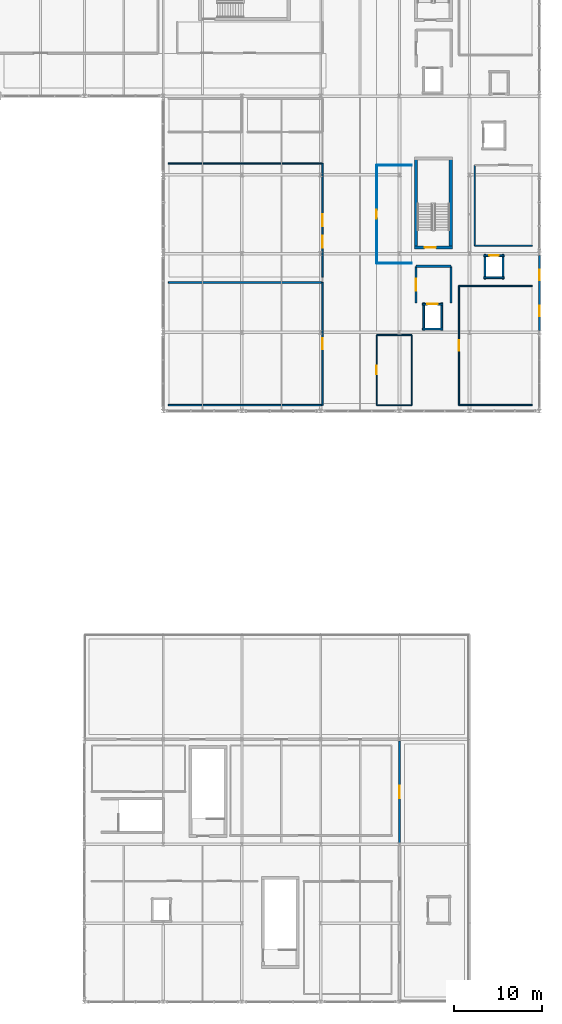
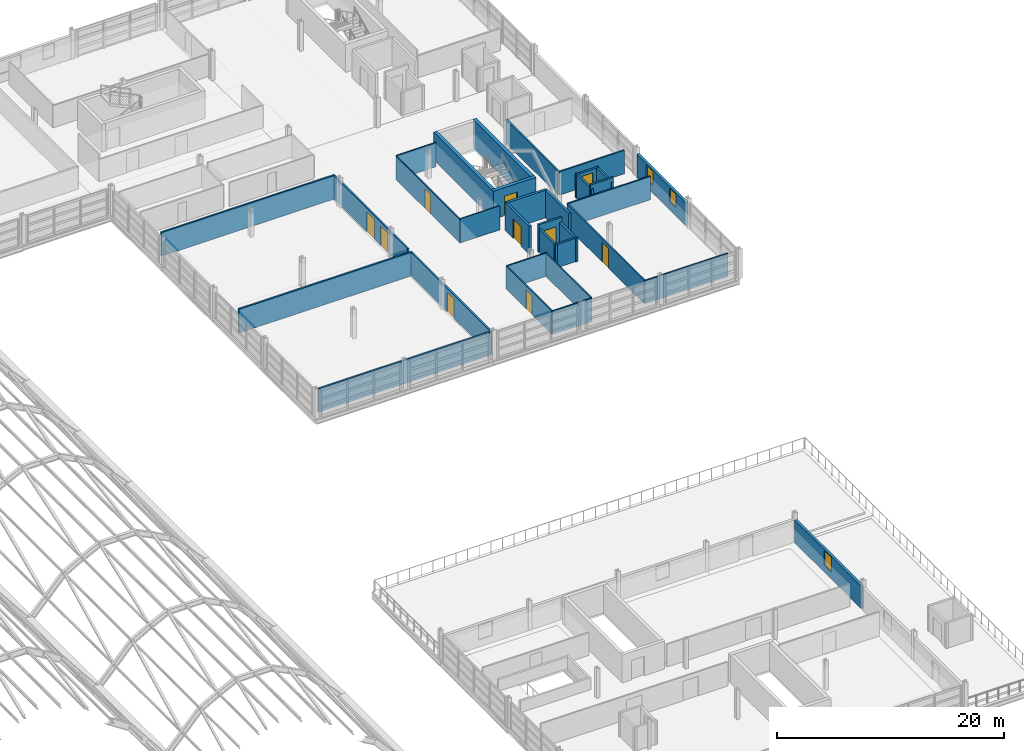
# One storey, part 78 of 86: 33 walls, 10 doors, 3 windows, 13 openings.
"""IFC4 building model written with IfcOpenShell, lengths in metres."""

from ifc_helpers import new_model, si_unit, direction, frame, frame_2d, origin, place, context, subcontext, project, spatial, rectangle, extrude, material, layer, layer_set, type_object, element, fill, save


model = new_model("IFC4")

# Units and contexts
model_context = context("Model", 3, precision=1e-05, world=origin(), true_north=direction((0.0, 1.0)))
body_context = subcontext(model_context, "Body", "Model", "MODEL_VIEW")
ifc_project = project(units=[si_unit("LENGTHUNIT", "METRE"), si_unit("AREAUNIT", "SQUARE_METRE"), si_unit("VOLUMEUNIT", "CUBIC_METRE"), si_unit("PLANEANGLEUNIT", "RADIAN"), si_unit("MASSUNIT", "GRAM", prefix="KILO")], contexts=[model_context])

# Site, building, storey
site_placement = place(None, origin())
site = spatial("IfcSite", under=ifc_project, at=site_placement, CompositionType="ELEMENT")
building_placement = place(site_placement, origin())
building = spatial("IfcBuilding", under=site, at=building_placement, Name="Chuanluo Vaults Station", CompositionType="ELEMENT")
storey_placement = place(building_placement, frame((0.0, 0.0, 14.39990234375)))
storey = spatial("IfcBuildingStorey", under=building, at=storey_placement, Name="L03", CompositionType="ELEMENT", Elevation=14.39990234375)

# Walls
ifc_material_1 = material(Name="Concrete C50", Category="concrete")
ifc_layer_1 = layer(ifc_material_1, 0.35009765625)
ifc_layer_set_1 = layer_set([ifc_layer_1], Name="Concrete C50")
wall_type_1 = type_object("IfcWallType", Name="WL-COR-350", PredefinedType="SHEAR", material=ifc_layer_set_1)
for number, where, z_axis, x_axis, name in (
    (1, (177.862548828125, 86.02490234375, 0.0), (0.0, 0.0, 1.0), (0.0, 1.0, 0.0), "Core K1 left shear wall"),
    (2, (173.892578125, 96.5224609375, 0.0), (0.0, 0.0, 1.0), (0.0, -1.0, 0.0), "Core K1 right shear wall"),
):
    element("IfcWall", number, at=place(storey_placement, frame(where, z_axis=z_axis, x_axis=x_axis)), inside=storey, type_object=wall_type_1, Name=name, PredefinedType="SHEAR", context=body_context, shape_type="SweptSolid", body=[
        extrude(rectangle(XDim=10.49755859375, YDim=0.35009765625, at=frame_2d((5.248779296875, 0.0))), origin(), (0.0, 0.0, 1.0), 3.0),
    ])

# Wall, opening, door
wall_1_placement = place(storey_placement, frame((173.717529296875, 86.199951171875, 0.0), z_axis=(0.0, 0.0, 1.0), x_axis=(1.0, 0.0, 0.0)))
wall_1 = element("IfcWall", 3, at=wall_1_placement, inside=storey, type_object=wall_type_1, Name="Core K1 near shear wall", PredefinedType="SHEAR", context=body_context, shape_type="SweptSolid", body=[
    extrude(rectangle(XDim=4.320068359375, YDim=0.35009765625, at=frame_2d((2.16015625, 0.0))), origin(), (0.0, 0.0, 1.0), 3.0),
])
opening_1_placement = place(wall_1_placement, frame((1.14990234375, 0.0, 0.0)))
opening_1 = element("IfcOpeningElement", 4, at=opening_1_placement, cuts=wall_1, Name="Opening FD-05", PredefinedType="OPENING", context=body_context, shape_type="SweptSolid", body=[
    extrude(rectangle(XDim=1.300048828125, YDim=2.10009765625, at=frame_2d((0.64990234375, 1.050048828125))), frame((0.0, 0.18505, 0.0), z_axis=(0.0, -1.0, 0.0), x_axis=(1.0, 0.0, 0.0)), (0.0, 0.0, 1.0), 0.3701),
])
ifc_material_2 = material(Name="Fire-rated steel leaf", Category="steel")
door_type_1 = type_object("IfcDoorType", Name="DR-FIR-1300x2100", OperationType="NOTDEFINED", PredefinedType="DOOR", material=ifc_material_2)
door_1_placement = place(opening_1_placement, origin())
door_1 = element("IfcDoor", 5, at=door_1_placement, inside=storey, type_object=door_type_1, Name="D-062 Stair ST-01 fire door", OperationType="SINGLE_SWING_LEFT", OverallHeight=2.10009765625, OverallWidth=1.300048828125, PredefinedType="DOOR", context=body_context, shape_type="SweptSolid", body=[
    extrude(rectangle(XDim=1.300048828125, YDim=2.10009765625, at=frame_2d((0.64990234375, 1.050048828125))), frame((0.0, 0.02490234375, 0.0), z_axis=(0.0, -1.0, 0.0), x_axis=(1.0, 0.0, 0.0)), (0.0, 0.0, 1.0), 0.050048828125),
])
fill(opening_1, door_1)

# Wall, opening, window
ifc_material_3 = material(Name="Concrete C40", Category="concrete")
ifc_layer_2 = layer(ifc_material_3, 0.260009765625)
ifc_layer_set_2 = layer_set([ifc_layer_2], Name="Concrete C40")
wall_type_2 = type_object("IfcWallType", Name="WL-EXT-260", PredefinedType="SOLIDWALL", material=ifc_layer_set_2)
wall_2_placement = place(storey_placement, frame((172.0, 29.824951171875, 0.0), z_axis=(0.0, 0.0, 1.0), x_axis=(0.0, -1.0, 0.0)))
wall_2 = element("IfcWall", 6, at=wall_2_placement, inside=storey, type_object=wall_type_2, Name="L03 east terrace wall 1", PredefinedType="SOLIDWALL", context=body_context, shape_type="SweptSolid", body=[
    extrude(rectangle(XDim=11.64990234375, YDim=0.260009765625, at=frame_2d((5.824951171875, 0.0))), origin(), (0.0, 0.0, 1.0), 2.420166015625),
])
opening_2_placement = place(wall_2_placement, frame((5.125, 0.0, 0.75)))
opening_2 = element("IfcOpeningElement", 7, at=opening_2_placement, cuts=wall_2, Name="Opening W-41", PredefinedType="OPENING", context=body_context, shape_type="SweptSolid", body=[
    extrude(rectangle(XDim=1.39990234375, YDim=1.550048828125, at=frame_2d((0.699951171875, 0.77490234375))), frame((0.0, 0.13988, 0.0), z_axis=(0.0, -1.0, 0.0), x_axis=(1.0, 0.0, 0.0)), (0.0, 0.0, 1.0), 0.28001),
])
ifc_material_4 = material(Name="Double-silver Low-E laminated glass", Category="glass")
window_type_1 = type_object("IfcWindowType", Name="WN-OPS-1400x1550", PartitioningType="SINGLE_PANEL", PredefinedType="WINDOW", material=ifc_material_4)
window_1_placement = place(opening_2_placement, origin())
window_1 = element("IfcWindow", 8, at=window_1_placement, inside=storey, type_object=window_type_1, Name="W-120 L03 east terrace wall 1 window", OverallHeight=1.550048828125, OverallWidth=1.39990234375, PartitioningType="SINGLE_PANEL", PredefinedType="WINDOW", context=body_context, shape_type="SweptSolid", body=[
    extrude(rectangle(XDim=1.39990234375, YDim=1.550048828125, at=frame_2d((0.699951171875, 0.77490234375))), frame((0.0, 0.030029296875, 0.0), z_axis=(0.0, -1.0, 0.0), x_axis=(1.0, 0.0, 0.0)), (0.0, 0.0, 1.0), 0.06005859375),
])
fill(opening_2, window_1)

# Wall, openings, windows
ifc_material_5 = material(Name="Concrete C40", Category="concrete")
ifc_layer_3 = layer(ifc_material_5, 0.280029296875)
ifc_layer_set_3 = layer_set([ifc_layer_3], Name="Concrete C40")
wall_type_3 = type_object("IfcWallType", Name="WL-EXT-280", PredefinedType="SOLIDWALL", material=ifc_layer_set_3)
wall_3_placement = place(storey_placement, frame((188.0, 85.300048828125, 0.0), z_axis=(0.0, 0.0, 1.0), x_axis=(0.0, -1.0, 0.0)))
wall_3 = element("IfcWall", 9, at=wall_3_placement, inside=storey, type_object=wall_type_3, Name="L03 exterior punched wall 20", PredefinedType="SOLIDWALL", context=body_context, shape_type="SweptSolid", body=[
    extrude(rectangle(XDim=8.60009765625, YDim=0.280029296875, at=frame_2d((4.300048828125, 0.0))), origin(), (0.0, 0.0, 1.0), 2.485107421875),
])
opening_3_placement = place(wall_3_placement, frame((1.6650390625, 0.0, 0.89990234375)))
opening_3 = element("IfcOpeningElement", 10, at=opening_3_placement, cuts=wall_3, Name="Opening W-49", PredefinedType="OPENING", context=body_context, shape_type="SweptSolid", body=[
    extrude(rectangle(XDim=1.14990234375, YDim=1.449951171875, at=frame_2d((0.574951171875, 0.72509765625))), frame((0.0, 0.15014, 0.0), z_axis=(0.0, -1.0, 0.0), x_axis=(1.0, 0.0, 0.0)), (0.0, 0.0, 1.0), 0.30003),
])
opening_4_placement = place(wall_3_placement, frame((5.784912109375, 0.0, 0.89990234375)))
opening_4 = element("IfcOpeningElement", 11, at=opening_4_placement, cuts=wall_3, Name="Opening W-49", PredefinedType="OPENING", context=body_context, shape_type="SweptSolid", body=[
    extrude(rectangle(XDim=1.14990234375, YDim=1.449951171875, at=frame_2d((0.574951171875, 0.72509765625))), frame((0.0, 0.15014, 0.0), z_axis=(0.0, -1.0, 0.0), x_axis=(1.0, 0.0, 0.0)), (0.0, 0.0, 1.0), 0.30003),
])
ifc_material_6 = material(Name="Double-silver Low-E laminated glass", Category="glass")
window_type_2 = type_object("IfcWindowType", Name="WN-OPS-1150x1450", PartitioningType="SINGLE_PANEL", PredefinedType="WINDOW", material=ifc_material_6)
window_2_placement = place(opening_3_placement, origin())
window_2 = element("IfcWindow", 12, at=window_2_placement, inside=storey, type_object=window_type_2, Name="W-096 L03 facade window", OverallHeight=1.449951171875, OverallWidth=1.14990234375, PartitioningType="SINGLE_PANEL", PredefinedType="WINDOW", context=body_context, shape_type="SweptSolid", body=[
    extrude(rectangle(XDim=1.14990234375, YDim=1.449951171875, at=frame_2d((0.574951171875, 0.72509765625))), frame((0.0, 0.030029296875, 0.0), z_axis=(0.0, -1.0, 0.0), x_axis=(1.0, 0.0, 0.0)), (0.0, 0.0, 1.0), 0.06005859375),
])
fill(opening_3, window_2)
window_3_placement = place(opening_4_placement, origin())
window_3 = element("IfcWindow", 13, at=window_3_placement, inside=storey, type_object=window_type_2, Name="W-097 L03 facade window", OverallHeight=1.449951171875, OverallWidth=1.14990234375, PartitioningType="SINGLE_PANEL", PredefinedType="WINDOW", context=body_context, shape_type="SweptSolid", body=[
    extrude(rectangle(XDim=1.14990234375, YDim=1.449951171875, at=frame_2d((0.574951171875, 0.72509765625))), frame((0.0, 0.030029296875, 0.0), z_axis=(0.0, -1.0, 0.0), x_axis=(1.0, 0.0, 0.0)), (0.0, 0.0, 1.0), 0.06005859375),
])
fill(opening_4, window_3)

# Wall
ifc_material_7 = material(Name="Concrete C40", Category="concrete")
ifc_layer_4 = layer(ifc_material_7, 0.25)
ifc_layer_set_4 = layer_set([ifc_layer_4], Name="Concrete C40")
wall_type_4 = type_object("IfcWallType", Name="WL-FIR-250", PredefinedType="SOLIDWALL", material=ifc_layer_set_4)
wall_4_placement = place(storey_placement, frame((173.89990234375, 84.050048828125, 0.0), z_axis=(0.0, 0.0, 1.0), x_axis=(1.0, 0.0, 0.0)))
element("IfcWall", 14, at=wall_4_placement, inside=storey, type_object=wall_type_4, Name="L03-FFL-K1 Firefighting Lift Lobby FFL-01 L03 N partition", PredefinedType="SOLIDWALL", context=body_context, shape_type="SweptSolid", body=[
    extrude(rectangle(XDim=4.0, YDim=0.25, at=frame_2d((2.0, 0.0))), origin(), (0.0, 0.0, 1.0), 2.97509765625),
])

# Wall, opening, door
wall_5_placement = place(storey_placement, frame((173.89990234375, 79.85009765625, 0.0), z_axis=(0.0, 0.0, 1.0), x_axis=(0.0, 1.0, 0.0)))
wall_5 = element("IfcWall", 15, at=wall_5_placement, inside=storey, type_object=wall_type_4, Name="L03-FFL-K1 Firefighting Lift Lobby FFL-01 L03 W partition", PredefinedType="SOLIDWALL", context=body_context, shape_type="SweptSolid", body=[
    extrude(rectangle(XDim=4.199951171875, YDim=0.25, at=frame_2d((2.10009765625, 0.0))), origin(), (0.0, 0.0, 1.0), 2.97509765625),
])
opening_5_placement = place(wall_5_placement, frame((1.39990234375, 0.0, 0.0)))
opening_5 = element("IfcOpeningElement", 16, at=opening_5_placement, cuts=wall_5, Name="Opening FD-04", PredefinedType="OPENING", context=body_context, shape_type="SweptSolid", body=[
    extrude(rectangle(XDim=1.39990234375, YDim=2.10009765625, at=frame_2d((0.699951171875, 1.050048828125))), frame((0.0, 0.135, 0.0), z_axis=(0.0, -1.0, 0.0), x_axis=(1.0, 0.0, 0.0)), (0.0, 0.0, 1.0), 0.27),
])
ifc_material_8 = material(Name="Fire-rated steel leaf", Category="steel")
door_type_2 = type_object("IfcDoorType", Name="DR-FIR-1400x2100", OperationType="NOTDEFINED", PredefinedType="DOOR", material=ifc_material_8)
door_2_placement = place(opening_5_placement, origin())
door_2 = element("IfcDoor", 17, at=door_2_placement, inside=storey, type_object=door_type_2, Name="D-271 Firefighting Lift Lobby FFL-01 L03 door", OperationType="SINGLE_SWING_RIGHT", OverallHeight=2.10009765625, OverallWidth=1.39990234375, PredefinedType="DOOR", context=body_context, shape_type="SweptSolid", body=[
    extrude(rectangle(XDim=1.39990234375, YDim=2.10009765625, at=frame_2d((0.699951171875, 1.050048828125))), frame((0.0, 0.02490234375, 0.0), z_axis=(0.0, -1.0, 0.0), x_axis=(1.0, 0.0, 0.0)), (0.0, 0.0, 1.0), 0.050048828125),
])
fill(opening_5, door_2)

# Walls
wall_6_placement = place(storey_placement, frame((177.89990234375, 84.050048828125, 0.0), z_axis=(0.0, 0.0, 1.0), x_axis=(0.0, -1.0, 0.0)))
element("IfcWall", 18, at=wall_6_placement, inside=storey, type_object=wall_type_4, Name="L03-FFL-K1 Firefighting Lift Lobby FFL-01 L03 E partition", PredefinedType="SOLIDWALL", context=body_context, shape_type="SweptSolid", body=[
    extrude(rectangle(XDim=4.199951171875, YDim=0.25, at=frame_2d((2.10009765625, 0.0))), origin(), (0.0, 0.0, 1.0), 2.97509765625),
])
ifc_material_9 = material(Name="Masonry blockwork M10", Category="masonry")
ifc_layer_5 = layer(ifc_material_9, 0.110107421875)
ifc_layer_set_5 = layer_set([ifc_layer_5], Name="Masonry blockwork M10")
wall_type_5 = type_object("IfcWallType", Name="WL-PRT-110", PredefinedType="PARTITIONING", material=ifc_layer_set_5)
for number, where, z_axis, x_axis, name in (
    (19, (173.39990234375, 84.39990234375, 0.0), (0.0, 0.0, 1.0), (-1.0, 0.0, 0.0), "L03-14B Operations Records and Print Room S partition"),
    (20, (169.39990234375, 95.60009765625, 0.0), (0.0, 0.0, 1.0), (1.0, 0.0, 0.0), "L03-14B Operations Records and Print Room N partition"),
):
    element("IfcWall", number, at=place(storey_placement, frame(where, z_axis=z_axis, x_axis=x_axis)), inside=storey, type_object=wall_type_5, Name=name, PredefinedType="PARTITIONING", context=body_context, shape_type="SweptSolid", body=[
        extrude(rectangle(XDim=4.0, YDim=0.110107421875, at=frame_2d((2.0, 0.0))), origin(), (0.0, 0.0, 1.0), 2.585205078125),
    ])

# Wall, opening, door
wall_7_placement = place(storey_placement, frame((169.39990234375, 84.39990234375, 0.0), z_axis=(0.0, 0.0, 1.0), x_axis=(0.0, 1.0, 0.0)))
wall_7 = element("IfcWall", 21, at=wall_7_placement, inside=storey, type_object=wall_type_5, Name="L03-14B Operations Records and Print Room W partition", PredefinedType="PARTITIONING", context=body_context, shape_type="SweptSolid", body=[
    extrude(rectangle(XDim=11.2001953125, YDim=0.110107421875, at=frame_2d((5.60009765625, 0.0))), origin(), (0.0, 0.0, 1.0), 2.53515625),
])
opening_6_placement = place(wall_7_placement, frame((5.074951171875, 0.0, 0.0)))
opening_6 = element("IfcOpeningElement", 22, at=opening_6_placement, cuts=wall_7, Name="Opening D-I07", PredefinedType="OPENING", context=body_context, shape_type="SweptSolid", body=[
    extrude(rectangle(XDim=1.050048828125, YDim=2.10009765625, at=frame_2d((0.52490234375, 1.050048828125))), frame((0.0, 0.06518, 0.0), z_axis=(0.0, -1.0, 0.0), x_axis=(1.0, 0.0, 0.0)), (0.0, 0.0, 1.0), 0.13011),
])
ifc_material_10 = material(Name="Anodised aluminium 6063-T6", Category="aluminium")
door_type_3 = type_object("IfcDoorType", Name="DR-INT-1050x2100", OperationType="NOTDEFINED", PredefinedType="DOOR", material=ifc_material_10)
door_3_placement = place(opening_6_placement, origin())
door_3 = element("IfcDoor", 23, at=door_3_placement, inside=storey, type_object=door_type_3, Name="D-232 Operations Records and Print Room door", OperationType="SINGLE_SWING_LEFT", OverallHeight=2.10009765625, OverallWidth=1.050048828125, PredefinedType="DOOR", context=body_context, shape_type="SweptSolid", body=[
    extrude(rectangle(XDim=1.050048828125, YDim=2.10009765625, at=frame_2d((0.52490234375, 1.050048828125))), frame((0.0, 0.02490234375, 0.0), z_axis=(0.0, -1.0, 0.0), x_axis=(1.0, 0.0, 0.0)), (0.0, 0.0, 1.0), 0.050048828125),
])
fill(opening_6, door_3)

# Walls
ifc_material_11 = material(Name="Masonry blockwork M10", Category="masonry")
ifc_layer_6 = layer(ifc_material_11, 0.1201171875)
ifc_layer_set_6 = layer_set([ifc_layer_6], Name="Masonry blockwork M10")
wall_type_6 = type_object("IfcWallType", Name="WL-PRT-120", PredefinedType="PARTITIONING", material=ifc_layer_set_6)
for number, where, z_axis, x_axis, name in (
    (24, (173.39990234375, 68.199951171875, 0.0), (0.0, 0.0, 1.0), (-1.0, 0.0, 0.0), "L03-14 Level 3 Accessible WC S partition"),
    (25, (169.39990234375, 76.199951171875, 0.0), (0.0, 0.0, 1.0), (1.0, 0.0, 0.0), "L03-14 Level 3 Accessible WC N partition"),
):
    element("IfcWall", number, at=place(storey_placement, frame(where, z_axis=z_axis, x_axis=x_axis)), inside=storey, type_object=wall_type_6, Name=name, PredefinedType="PARTITIONING", context=body_context, shape_type="SweptSolid", body=[
        extrude(rectangle(XDim=4.0, YDim=0.1201171875, at=frame_2d((2.0, 0.0))), origin(), (0.0, 0.0, 1.0), 2.505126953125),
    ])

# Wall, opening, door
wall_8_placement = place(storey_placement, frame((169.39990234375, 68.199951171875, 0.0), z_axis=(0.0, 0.0, 1.0), x_axis=(0.0, 1.0, 0.0)))
wall_8 = element("IfcWall", 26, at=wall_8_placement, inside=storey, type_object=wall_type_6, Name="L03-14 Level 3 Accessible WC W partition", PredefinedType="PARTITIONING", context=body_context, shape_type="SweptSolid", body=[
    extrude(rectangle(XDim=8.0, YDim=0.1201171875, at=frame_2d((4.0, 0.0))), origin(), (0.0, 0.0, 1.0), 2.505126953125),
])
opening_7_placement = place(wall_8_placement, frame((3.489990234375, 0.0, 0.0)))
opening_7 = element("IfcOpeningElement", 27, at=opening_7_placement, cuts=wall_8, Name="Opening D-WC2", PredefinedType="OPENING", context=body_context, shape_type="SweptSolid", body=[
    extrude(rectangle(XDim=1.02001953125, YDim=2.050048828125, at=frame_2d((0.510009765625, 1.02490234375))), frame((0.0, 0.07006, 0.0), z_axis=(0.0, -1.0, 0.0), x_axis=(1.0, 0.0, 0.0)), (0.0, 0.0, 1.0), 0.14012),
])
ifc_material_12 = material(Name="Anodised aluminium 6063-T6", Category="aluminium")
door_type_4 = type_object("IfcDoorType", Name="DR-AWC-1020x2050", OperationType="NOTDEFINED", PredefinedType="DOOR", material=ifc_material_12)
door_4_placement = place(opening_7_placement, origin())
door_4 = element("IfcDoor", 28, at=door_4_placement, inside=storey, type_object=door_type_4, Name="D-231 Level 3 Accessible WC door", OperationType="SINGLE_SWING_RIGHT", OverallHeight=2.050048828125, OverallWidth=1.02001953125, PredefinedType="DOOR", context=body_context, shape_type="SweptSolid", body=[
    extrude(rectangle(XDim=1.02001953125, YDim=2.050048828125, at=frame_2d((0.510009765625, 1.02490234375))), frame((0.0, 0.02490234375, 0.0), z_axis=(0.0, -1.0, 0.0), x_axis=(1.0, 0.0, 0.0)), (0.0, 0.0, 1.0), 0.050048828125),
])
fill(opening_7, door_4)

# Walls
wall_9_placement = place(storey_placement, frame((173.39990234375, 76.199951171875, 0.0), z_axis=(0.0, 0.0, 1.0), x_axis=(0.0, -1.0, 0.0)))
element("IfcWall", 29, at=wall_9_placement, inside=storey, type_object=wall_type_6, Name="L03-14 Level 3 Accessible WC E partition", PredefinedType="PARTITIONING", context=body_context, shape_type="SweptSolid", body=[
    extrude(rectangle(XDim=8.0, YDim=0.1201171875, at=frame_2d((4.0, 0.0))), origin(), (0.0, 0.0, 1.0), 2.505126953125),
])
ifc_material_13 = material(Name="Autoclaved aerated concrete blockwork MU10", Category="masonry")
ifc_layer_7 = layer(ifc_material_13, 0.139892578125)
ifc_layer_set_7 = layer_set([ifc_layer_7], Name="Autoclaved aerated concrete blockwork MU10")
wall_type_7 = type_object("IfcWallType", Name="WL-PRT-140", PredefinedType="PARTITIONING", material=ifc_layer_set_7)
wall_10_placement = place(storey_placement, frame((187.199951171875, 68.199951171875, 0.0), z_axis=(0.0, 0.0, 1.0), x_axis=(-1.0, 0.0, 0.0)))
element("IfcWall", 30, at=wall_10_placement, inside=storey, type_object=wall_type_7, Name="L03-20 East Engineering Records Office S partition", PredefinedType="PARTITIONING", context=body_context, shape_type="SweptSolid", body=[
    extrude(rectangle(XDim=8.39990234375, YDim=0.139892578125, at=frame_2d((4.199951171875, 0.0))), origin(), (0.0, 0.0, 1.0), 2.485107421875),
])
wall_11_placement = place(storey_placement, frame((178.800048828125, 81.800048828125, 0.0), z_axis=(0.0, 0.0, 1.0), x_axis=(1.0, 0.0, 0.0)))
element("IfcWall", 31, at=wall_11_placement, inside=storey, type_object=wall_type_7, Name="L03-20 East Engineering Records Office N partition", PredefinedType="PARTITIONING", context=body_context, shape_type="SweptSolid", body=[
    extrude(rectangle(XDim=8.39990234375, YDim=0.139892578125, at=frame_2d((4.199951171875, 0.0))), origin(), (0.0, 0.0, 1.0), 2.51513671875),
])

# Wall, opening, door
wall_12_placement = place(storey_placement, frame((178.800048828125, 68.199951171875, 0.0), z_axis=(0.0, 0.0, 1.0), x_axis=(0.0, 1.0, 0.0)))
wall_12 = element("IfcWall", 32, at=wall_12_placement, inside=storey, type_object=wall_type_7, Name="L03-20 East Engineering Records Office W partition", PredefinedType="PARTITIONING", context=body_context, shape_type="SweptSolid", body=[
    extrude(rectangle(XDim=13.60009765625, YDim=0.139892578125, at=frame_2d((6.800048828125, 0.0))), origin(), (0.0, 0.0, 1.0), 2.505126953125),
])
opening_8_placement = place(wall_12_placement, frame((6.22509765625, 0.0, 0.0)))
opening_8 = element("IfcOpeningElement", 33, at=opening_8_placement, cuts=wall_12, Name="Opening D-I06", PredefinedType="OPENING", context=body_context, shape_type="SweptSolid", body=[
    extrude(rectangle(XDim=1.14990234375, YDim=2.10009765625, at=frame_2d((0.574951171875, 1.050048828125))), frame((0.0, 0.07982, 0.0), z_axis=(0.0, -1.0, 0.0), x_axis=(1.0, 0.0, 0.0)), (0.0, 0.0, 1.0), 0.15989),
])
ifc_material_14 = material(Name="Anodised aluminium 6063-T6", Category="aluminium")
door_type_5 = type_object("IfcDoorType", Name="DR-INT-1150x2100", OperationType="NOTDEFINED", PredefinedType="DOOR", material=ifc_material_14)
door_5_placement = place(opening_8_placement, origin())
door_5 = element("IfcDoor", 34, at=door_5_placement, inside=storey, type_object=door_type_5, Name="D-235 East Engineering Records Office door", OperationType="SINGLE_SWING_RIGHT", OverallHeight=2.10009765625, OverallWidth=1.14990234375, PredefinedType="DOOR", context=body_context, shape_type="SweptSolid", body=[
    extrude(rectangle(XDim=1.14990234375, YDim=2.10009765625, at=frame_2d((0.574951171875, 1.050048828125))), frame((0.0, 0.02490234375, 0.0), z_axis=(0.0, -1.0, 0.0), x_axis=(1.0, 0.0, 0.0)), (0.0, 0.0, 1.0), 0.050048828125),
])
fill(opening_8, door_5)

# Wall
ifc_material_15 = material(Name="Autoclaved aerated concrete blockwork MU10", Category="masonry")
ifc_layer_8 = layer(ifc_material_15, 0.159912109375)
ifc_layer_set_8 = layer_set([ifc_layer_8], Name="Autoclaved aerated concrete blockwork MU10")
wall_type_8 = type_object("IfcWallType", Name="WL-PRT-160", PredefinedType="PARTITIONING", material=ifc_layer_set_8)
wall_13_placement = place(storey_placement, frame((145.60009765625, 95.800048828125, 0.0), z_axis=(0.0, 0.0, 1.0), x_axis=(1.0, 0.0, 0.0)))
element("IfcWall", 35, at=wall_13_placement, inside=storey, type_object=wall_type_8, Name="L03-10 Operations Conference Suite A N partition", PredefinedType="PARTITIONING", context=body_context, shape_type="SweptSolid", body=[
    extrude(rectangle(XDim=17.599853515625, YDim=0.159912109375, at=frame_2d((8.7998046875, 0.0))), origin(), (0.0, 0.0, 1.0), 2.55517578125),
])

# Wall, openings, doors
wall_14_placement = place(storey_placement, frame((163.199951171875, 95.800048828125, 0.0), z_axis=(0.0, 0.0, 1.0), x_axis=(0.0, -1.0, 0.0)))
wall_14 = element("IfcWall", 36, at=wall_14_placement, inside=storey, type_object=wall_type_8, Name="L03-10 Operations Conference Suite A E partition", PredefinedType="PARTITIONING", context=body_context, shape_type="SweptSolid", body=[
    extrude(rectangle(XDim=13.0, YDim=0.159912109375, at=frame_2d((6.5, 0.0))), origin(), (0.0, 0.0, 1.0), 2.53515625),
])
opening_9_placement = place(wall_14_placement, frame((5.824951171875, 0.0, 0.0)))
opening_9 = element("IfcOpeningElement", 37, at=opening_9_placement, cuts=wall_14, Name="Opening D-I04", PredefinedType="OPENING", context=body_context, shape_type="SweptSolid", body=[
    extrude(rectangle(XDim=1.35009765625, YDim=2.10009765625, at=frame_2d((0.675048828125, 1.050048828125))), frame((0.0, 0.09008, 0.0), z_axis=(0.0, -1.0, 0.0), x_axis=(1.0, 0.0, 0.0)), (0.0, 0.0, 1.0), 0.17991),
])
opening_10_placement = place(wall_14_placement, frame((8.280029296875, 0.0, 0.0)))
opening_10 = element("IfcOpeningElement", 38, at=opening_10_placement, cuts=wall_14, Name="Opening D-I04", PredefinedType="OPENING", context=body_context, shape_type="SweptSolid", body=[
    extrude(rectangle(XDim=1.35009765625, YDim=2.10009765625, at=frame_2d((0.675048828125, 1.050048828125))), frame((0.0, 0.09008, 0.0), z_axis=(0.0, -1.0, 0.0), x_axis=(1.0, 0.0, 0.0)), (0.0, 0.0, 1.0), 0.17991),
])
ifc_material_16 = material(Name="Anodised aluminium 6063-T6", Category="aluminium")
door_type_6 = type_object("IfcDoorType", Name="DR-INT-1350x2100", OperationType="NOTDEFINED", PredefinedType="DOOR", material=ifc_material_16)
door_6_placement = place(opening_9_placement, origin())
door_6 = element("IfcDoor", 39, at=door_6_placement, inside=storey, type_object=door_type_6, Name="D-225 Operations Conference Suite A door", OperationType="SINGLE_SWING_RIGHT", OverallHeight=2.10009765625, OverallWidth=1.35009765625, PredefinedType="DOOR", context=body_context, shape_type="SweptSolid", body=[
    extrude(rectangle(XDim=1.35009765625, YDim=2.10009765625, at=frame_2d((0.675048828125, 1.050048828125))), frame((0.0, 0.02490234375, 0.0), z_axis=(0.0, -1.0, 0.0), x_axis=(1.0, 0.0, 0.0)), (0.0, 0.0, 1.0), 0.050048828125),
])
fill(opening_9, door_6)
door_7_placement = place(opening_10_placement, origin())
door_7 = element("IfcDoor", 40, at=door_7_placement, inside=storey, type_object=door_type_6, Name="D-226 Operations Conference Suite A secondary exit door", OperationType="SINGLE_SWING_LEFT", OverallHeight=2.10009765625, OverallWidth=1.35009765625, PredefinedType="DOOR", context=body_context, shape_type="SweptSolid", body=[
    extrude(rectangle(XDim=1.35009765625, YDim=2.10009765625, at=frame_2d((0.675048828125, 1.050048828125))), frame((0.0, 0.02490234375, 0.0), z_axis=(0.0, -1.0, 0.0), x_axis=(1.0, 0.0, 0.0)), (0.0, 0.0, 1.0), 0.050048828125),
])
fill(opening_10, door_7)

# Walls
wall_15_placement = place(storey_placement, frame((187.199951171875, 86.39990234375, 0.0), z_axis=(0.0, 0.0, 1.0), x_axis=(-1.0, 0.0, 0.0)))
element("IfcWall", 41, at=wall_15_placement, inside=storey, type_object=wall_type_8, Name="L03-18 Staff Pantry and Break Lounge S partition", PredefinedType="PARTITIONING", context=body_context, shape_type="SweptSolid", body=[
    extrude(rectangle(XDim=6.599853515625, YDim=0.159912109375, at=frame_2d((3.2998046875, 0.0))), origin(), (0.0, 0.0, 1.0), 2.51513671875),
])
wall_16_placement = place(storey_placement, frame((180.60009765625, 86.39990234375, 0.0), z_axis=(0.0, 0.0, 1.0), x_axis=(0.0, 1.0, 0.0)))
element("IfcWall", 42, at=wall_16_placement, inside=storey, type_object=wall_type_8, Name="L03-18 Staff Pantry and Break Lounge W partition", PredefinedType="PARTITIONING", context=body_context, shape_type="SweptSolid", body=[
    extrude(rectangle(XDim=9.2001953125, YDim=0.159912109375, at=frame_2d((4.60009765625, 0.0))), origin(), (0.0, 0.0, 1.0), 2.53515625),
])
ifc_material_17 = material(Name="Autoclaved aerated concrete blockwork MU10", Category="masonry")
ifc_layer_9 = layer(ifc_material_17, 0.175048828125)
ifc_layer_set_9 = layer_set([ifc_layer_9], Name="Autoclaved aerated concrete blockwork MU10")
wall_type_9 = type_object("IfcWallType", Name="WL-PRT-175", PredefinedType="PARTITIONING", material=ifc_layer_set_9)
wall_17_placement = place(storey_placement, frame((163.199951171875, 68.199951171875, 0.0), z_axis=(0.0, 0.0, 1.0), x_axis=(-1.0, 0.0, 0.0)))
element("IfcWall", 43, at=wall_17_placement, inside=storey, type_object=wall_type_9, Name="L03-09 Finance and Ticketing Audit Suite S partition", PredefinedType="PARTITIONING", context=body_context, shape_type="SweptSolid", body=[
    extrude(rectangle(XDim=17.599853515625, YDim=0.175048828125, at=frame_2d((8.7998046875, 0.0))), origin(), (0.0, 0.0, 1.0), 2.505126953125),
])
wall_18_placement = place(storey_placement, frame((145.60009765625, 82.199951171875, 0.0), z_axis=(0.0, 0.0, 1.0), x_axis=(1.0, 0.0, 0.0)))
element("IfcWall", 44, at=wall_18_placement, inside=storey, type_object=wall_type_9, Name="L03-09 Finance and Ticketing Audit Suite N partition", PredefinedType="PARTITIONING", context=body_context, shape_type="SweptSolid", body=[
    extrude(rectangle(XDim=17.599853515625, YDim=0.175048828125, at=frame_2d((8.7998046875, 0.0))), origin(), (0.0, 0.0, 1.0), 2.55517578125),
])

# Wall, opening, door
wall_19_placement = place(storey_placement, frame((163.199951171875, 82.199951171875, 0.0), z_axis=(0.0, 0.0, 1.0), x_axis=(0.0, -1.0, 0.0)))
wall_19 = element("IfcWall", 45, at=wall_19_placement, inside=storey, type_object=wall_type_9, Name="L03-09 Finance and Ticketing Audit Suite E partition", PredefinedType="PARTITIONING", context=body_context, shape_type="SweptSolid", body=[
    extrude(rectangle(XDim=14.0, YDim=0.175048828125, at=frame_2d((7.0, 0.0))), origin(), (0.0, 0.0, 1.0), 2.505126953125),
])
opening_11_placement = place(wall_19_placement, frame((6.375, 0.0, 0.0)))
opening_11 = element("IfcOpeningElement", 46, at=opening_11_placement, cuts=wall_19, Name="Opening D-I05", PredefinedType="OPENING", context=body_context, shape_type="SweptSolid", body=[
    extrude(rectangle(XDim=1.25, YDim=2.10009765625, at=frame_2d((0.625, 1.050048828125))), frame((0.0, 0.0974, 0.0), z_axis=(0.0, -1.0, 0.0), x_axis=(1.0, 0.0, 0.0)), (0.0, 0.0, 1.0), 0.19505),
])
ifc_material_18 = material(Name="Anodised aluminium 6063-T6", Category="aluminium")
door_type_7 = type_object("IfcDoorType", Name="DR-INT-1250x2100", OperationType="NOTDEFINED", PredefinedType="DOOR", material=ifc_material_18)
door_8_placement = place(opening_11_placement, origin())
door_8 = element("IfcDoor", 47, at=door_8_placement, inside=storey, type_object=door_type_7, Name="D-224 Finance and Ticketing Audit Suite door", OperationType="SINGLE_SWING_LEFT", OverallHeight=2.10009765625, OverallWidth=1.25, PredefinedType="DOOR", context=body_context, shape_type="SweptSolid", body=[
    extrude(rectangle(XDim=1.25, YDim=2.10009765625, at=frame_2d((0.625, 1.050048828125))), frame((0.0, 0.02490234375, 0.0), z_axis=(0.0, -1.0, 0.0), x_axis=(1.0, 0.0, 0.0)), (0.0, 0.0, 1.0), 0.050048828125),
])
fill(opening_11, door_8)

# Wall
ifc_material_19 = material(Name="Concrete C40", Category="concrete")
ifc_layer_10 = layer(ifc_material_19, 0.199951171875)
ifc_layer_set_10 = layer_set([ifc_layer_10], Name="Concrete C40")
wall_type_10 = type_object("IfcWallType", Name="WL-SHF-200", PredefinedType="SOLIDWALL", material=ifc_layer_set_10)
wall_20_placement = place(storey_placement, frame((174.6298828125, 76.8798828125, 0.0), z_axis=(0.0, 0.0, 1.0), x_axis=(1.0, 0.0, 0.0)))
element("IfcWall", 48, at=wall_20_placement, inside=storey, type_object=wall_type_10, Name="Lift FFL-01 shaft wall L03 -Y", PredefinedType="SOLIDWALL", context=body_context, shape_type="SweptSolid", body=[
    extrude(rectangle(XDim=2.340087890625, YDim=0.199951171875, at=frame_2d((1.169921875, 0.0))), origin(), (0.0, 0.0, 1.0), 2.505126953125),
])

# Wall, opening, door
wall_21_placement = place(storey_placement, frame((176.969970703125, 79.719970703125, 0.0), z_axis=(0.0, 0.0, 1.0), x_axis=(-1.0, 0.0, 0.0)))
wall_21 = element("IfcWall", 49, at=wall_21_placement, inside=storey, type_object=wall_type_10, Name="Lift FFL-01 shaft wall L03 +Y", PredefinedType="SOLIDWALL", context=body_context, shape_type="SweptSolid", body=[
    extrude(rectangle(XDim=2.340087890625, YDim=0.199951171875, at=frame_2d((1.169921875, 0.0))), origin(), (0.0, 0.0, 1.0), 2.97509765625),
])
opening_12_placement = place(wall_21_placement, frame((0.570068359375, 0.0, 0.0)))
opening_12 = element("IfcOpeningElement", 50, at=opening_12_placement, cuts=wall_21, Name="Opening LD-02", PredefinedType="OPENING", context=body_context, shape_type="SweptSolid", body=[
    extrude(rectangle(XDim=1.199951171875, YDim=2.14990234375, at=frame_2d((0.60009765625, 1.074951171875))), frame((0.0, 0.1101, 0.0), z_axis=(0.0, -1.0, 0.0), x_axis=(1.0, 0.0, 0.0)), (0.0, 0.0, 1.0), 0.21995),
])
ifc_material_20 = material(Name="Brushed stainless steel 304", Category="steel")
door_type_8 = type_object("IfcDoorType", Name="DR-LFT-1200x2150", OperationType="SLIDING_TO_LEFT", PredefinedType="DOOR", material=ifc_material_20)
door_9_placement = place(opening_12_placement, origin())
door_9 = element("IfcDoor", 51, at=door_9_placement, inside=storey, type_object=door_type_8, Name="LD-FFL-01-05 Lift FFL-01 sliding landing door L03", OperationType="SLIDING_TO_LEFT", OverallHeight=2.14990234375, OverallWidth=1.199951171875, PredefinedType="DOOR", context=body_context, shape_type="SweptSolid", body=[
    extrude(rectangle(XDim=1.199951171875, YDim=2.14990234375, at=frame_2d((0.60009765625, 1.074951171875))), frame((0.0, 0.02490234375, 0.0), z_axis=(0.0, -1.0, 0.0), x_axis=(1.0, 0.0, 0.0)), (0.0, 0.0, 1.0), 0.050048828125),
])
fill(opening_12, door_9)

# Walls
for number, where, z_axis, x_axis, name in (
    (52, (174.780029296875, 79.8701171875, 0.0), (0.0, 0.0, 1.0), (0.0, -1.0, 0.0), "Lift FFL-01 shaft wall L03 -X"),
    (53, (176.820068359375, 76.72998046875, 0.0), (0.0, 0.0, 1.0), (0.0, 1.0, 0.0), "Lift FFL-01 shaft wall L03 +X"),
):
    element("IfcWall", number, at=place(storey_placement, frame(where, z_axis=z_axis, x_axis=x_axis)), inside=storey, type_object=wall_type_10, Name=name, PredefinedType="SOLIDWALL", context=body_context, shape_type="SweptSolid", body=[
        extrude(rectangle(XDim=3.14013671875, YDim=0.199951171875, at=frame_2d((1.570068359375, 0.0))), origin(), (0.0, 0.0, 1.0), 2.505126953125),
    ])
wall_22_placement = place(storey_placement, frame((181.6298828125, 82.72998046875, 0.0), z_axis=(0.0, 0.0, 1.0), x_axis=(1.0, 0.0, 0.0)))
element("IfcWall", 54, at=wall_22_placement, inside=storey, type_object=wall_type_10, Name="Lift EL-03 shaft wall L03 -Y", PredefinedType="SOLIDWALL", context=body_context, shape_type="SweptSolid", body=[
    extrude(rectangle(XDim=2.340087890625, YDim=0.199951171875, at=frame_2d((1.169921875, 0.0))), origin(), (0.0, 0.0, 1.0), 2.97509765625),
])

# Wall, opening, door
wall_23_placement = place(storey_placement, frame((183.969970703125, 85.27001953125, 0.0), z_axis=(0.0, 0.0, 1.0), x_axis=(-1.0, 0.0, 0.0)))
wall_23 = element("IfcWall", 55, at=wall_23_placement, inside=storey, type_object=wall_type_10, Name="Lift EL-03 shaft wall L03 +Y", PredefinedType="SOLIDWALL", context=body_context, shape_type="SweptSolid", body=[
    extrude(rectangle(XDim=2.340087890625, YDim=0.199951171875, at=frame_2d((1.169921875, 0.0))), origin(), (0.0, 0.0, 1.0), 2.53515625),
])
opening_13_placement = place(wall_23_placement, frame((0.6201171875, 0.0, 0.0)))
opening_13 = element("IfcOpeningElement", 56, at=opening_13_placement, cuts=wall_23, Name="Opening LD-01", PredefinedType="OPENING", context=body_context, shape_type="SweptSolid", body=[
    extrude(rectangle(XDim=1.10009765625, YDim=2.14990234375, at=frame_2d((0.550048828125, 1.074951171875))), frame((0.0, 0.1101, 0.0), z_axis=(0.0, -1.0, 0.0), x_axis=(1.0, 0.0, 0.0)), (0.0, 0.0, 1.0), 0.21995),
])
ifc_material_21 = material(Name="Brushed stainless steel 304", Category="steel")
door_type_9 = type_object("IfcDoorType", Name="DR-LFT-1100x2150", OperationType="SLIDING_TO_LEFT", PredefinedType="DOOR", material=ifc_material_21)
door_10_placement = place(opening_13_placement, origin())
door_10 = element("IfcDoor", 57, at=door_10_placement, inside=storey, type_object=door_type_9, Name="LD-EL-03-05 Lift EL-03 sliding landing door L03", OperationType="SLIDING_TO_LEFT", OverallHeight=2.14990234375, OverallWidth=1.10009765625, PredefinedType="DOOR", context=body_context, shape_type="SweptSolid", body=[
    extrude(rectangle(XDim=1.10009765625, YDim=2.14990234375, at=frame_2d((0.550048828125, 1.074951171875))), frame((0.0, 0.02490234375, 0.0), z_axis=(0.0, -1.0, 0.0), x_axis=(1.0, 0.0, 0.0)), (0.0, 0.0, 1.0), 0.050048828125),
])
fill(opening_13, door_10)

# Walls
for number, where, z_axis, x_axis, name in (
    (58, (181.780029296875, 85.419921875, 0.0), (0.0, 0.0, 1.0), (0.0, -1.0, 0.0), "Lift EL-03 shaft wall L03 -X"),
    (59, (183.820068359375, 82.580078125, 0.0), (0.0, 0.0, 1.0), (0.0, 1.0, 0.0), "Lift EL-03 shaft wall L03 +X"),
):
    element("IfcWall", number, at=place(storey_placement, frame(where, z_axis=z_axis, x_axis=x_axis)), inside=storey, type_object=wall_type_10, Name=name, PredefinedType="SOLIDWALL", context=body_context, shape_type="SweptSolid", body=[
        extrude(rectangle(XDim=2.83984375, YDim=0.199951171875, at=frame_2d((1.419921875, 0.0))), origin(), (0.0, 0.0, 1.0), 2.53515625),
    ])

save(model, "model.ifc")
